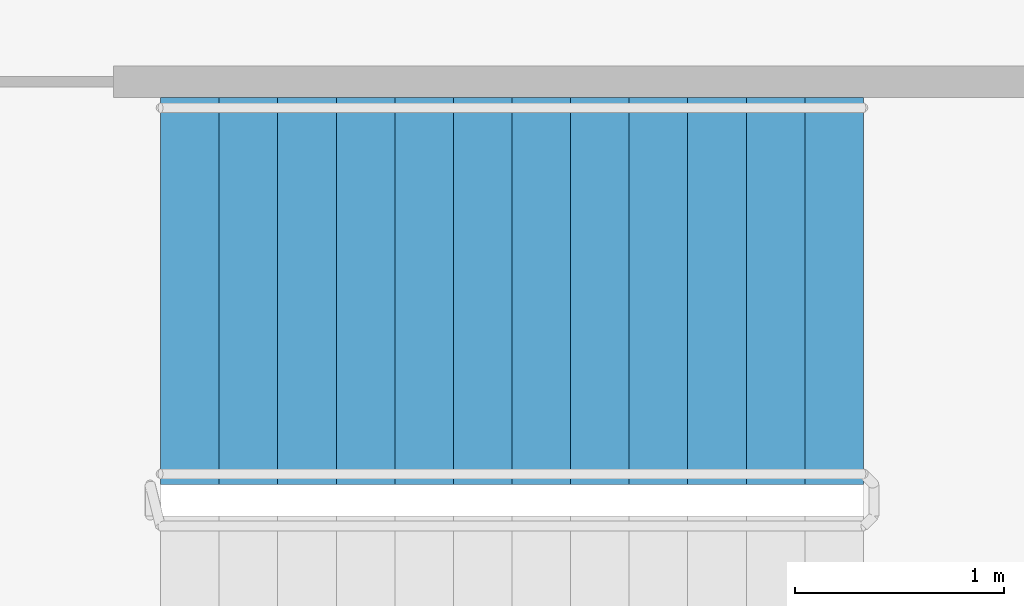
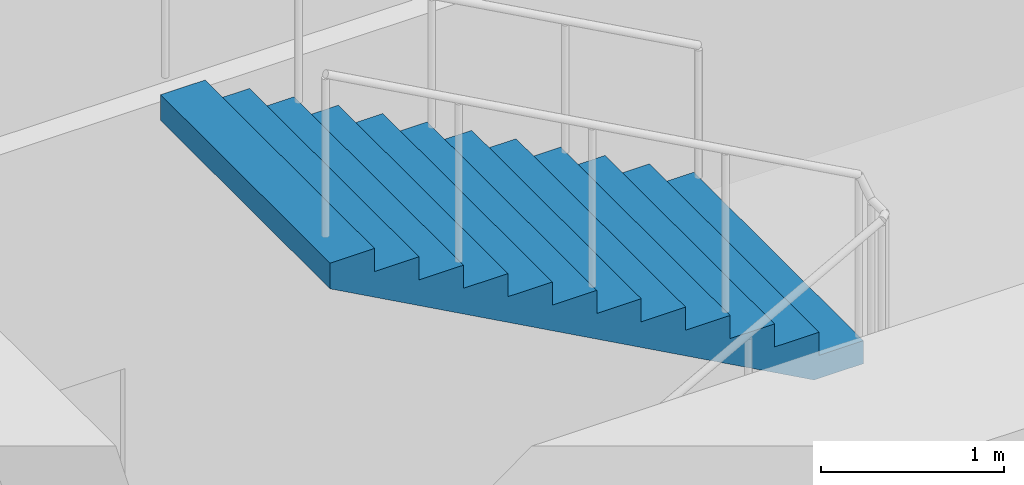
# One storey, part 9 of 11: 1 stair flight, 1 element without a shape of its own.
"""IFC4 building model written with IfcOpenShell, lengths in metres."""

from ifc_helpers import new_model, si_unit, direction, frame, origin, place, context, subcontext, project, spatial, polyline, outline, extrude, material, type_object, element, aggregate, save


model = new_model("IFC4")

# Units and contexts
model_context = context("Model", 3, precision=1e-05, world=origin(), true_north=direction((0.0, 1.0)))
body_context = subcontext(model_context, "Body", "Model", "MODEL_VIEW")
ifc_project = project(units=[si_unit("LENGTHUNIT", "METRE"), si_unit("AREAUNIT", "SQUARE_METRE"), si_unit("VOLUMEUNIT", "CUBIC_METRE"), si_unit("PLANEANGLEUNIT", "RADIAN"), si_unit("MASSUNIT", "GRAM", prefix="KILO")], contexts=[model_context])

# Site, building, storey
site_placement = place(None, origin())
site = spatial("IfcSite", under=ifc_project, at=site_placement, CompositionType="ELEMENT")
building_placement = place(site_placement, origin())
building = spatial("IfcBuilding", under=site, at=building_placement, Name="Zellij Exchange Tower", CompositionType="ELEMENT")
storey_placement = place(building_placement, frame((0.0, 0.0, 72.5)))
storey = spatial("IfcBuildingStorey", under=building, at=storey_placement, Name="L14", CompositionType="ELEMENT", Elevation=72.5)

# Stair, stair flight
ifc_material = material(Name="Concrete C40/50", Category="concrete")
stair_type = type_object("IfcStairType", Name="CORE-ST exit stair 1850 wide", PredefinedType="HALF_TURN_STAIR", material=ifc_material)
stair_placement = place(storey_placement, origin())
stair = element("IfcStair", 1, at=stair_placement, inside=storey, type_object=stair_type, Name="L14 exit stair ST4", PredefinedType="HALF_TURN_STAIR")
stair_flight_type = type_object("IfcStairFlightType", Name="CORE-SF flight 1850 riser 153.8 going 280", PredefinedType="STRAIGHT", material=ifc_material)
stair_flight_placement = place(storey_placement, frame((23.510009765625, -9.875, 2.0), z_axis=(0.0, 0.0, 1.0), x_axis=(-1.0, 0.0, 0.0)))
stair_flight = element("IfcStairFlight", 2, at=stair_flight_placement, type_object=stair_flight_type, Name="ST4 flight 2", NumberOfRisers=13, NumberOfTreads=12, PredefinedType="STRAIGHT", RiserHeight=0.153846154, TreadLength=0.28, context=body_context, shape_type="SweptSolid", body=[
    extrude(outline(polyline([(0.0, 0.0), (0.0, 0.15380859375), (0.280029296875, 0.15380859375), (0.280029296875, 0.3076171875), (0.56005859375, 0.3076171875), (0.56005859375, 0.46142578125), (0.840087890625, 0.46142578125), (0.840087890625, 0.615478515625), (1.1201171875, 0.615478515625), (1.1201171875, 0.769287109375), (1.39990234375, 0.769287109375), (1.39990234375, 0.923095703125), (1.679931640625, 0.923095703125), (1.679931640625, 1.076904296875), (1.9599609375, 1.076904296875), (1.9599609375, 1.230712890625), (2.239990234375, 1.230712890625), (2.239990234375, 1.384521484375), (2.52001953125, 1.384521484375), (2.52001953125, 1.53857421875), (2.800048828125, 1.53857421875), (2.800048828125, 1.6923828125), (3.080078125, 1.6923828125), (3.080078125, 1.84619140625), (3.360107421875, 1.84619140625), (3.360107421875, 2.0), (3.360107421875, 1.675048828125), (0.311279296875, 0.0), (0.0, 0.0)])), frame((0.0, 0.925048828125, 0.0), z_axis=(0.0, -1.0, 0.0), x_axis=(1.0, 0.0, 0.0)), (0.0, 0.0, 1.0), 1.85009765625),
])
aggregate(stair, [stair_flight])

save(model, "model.ifc")
